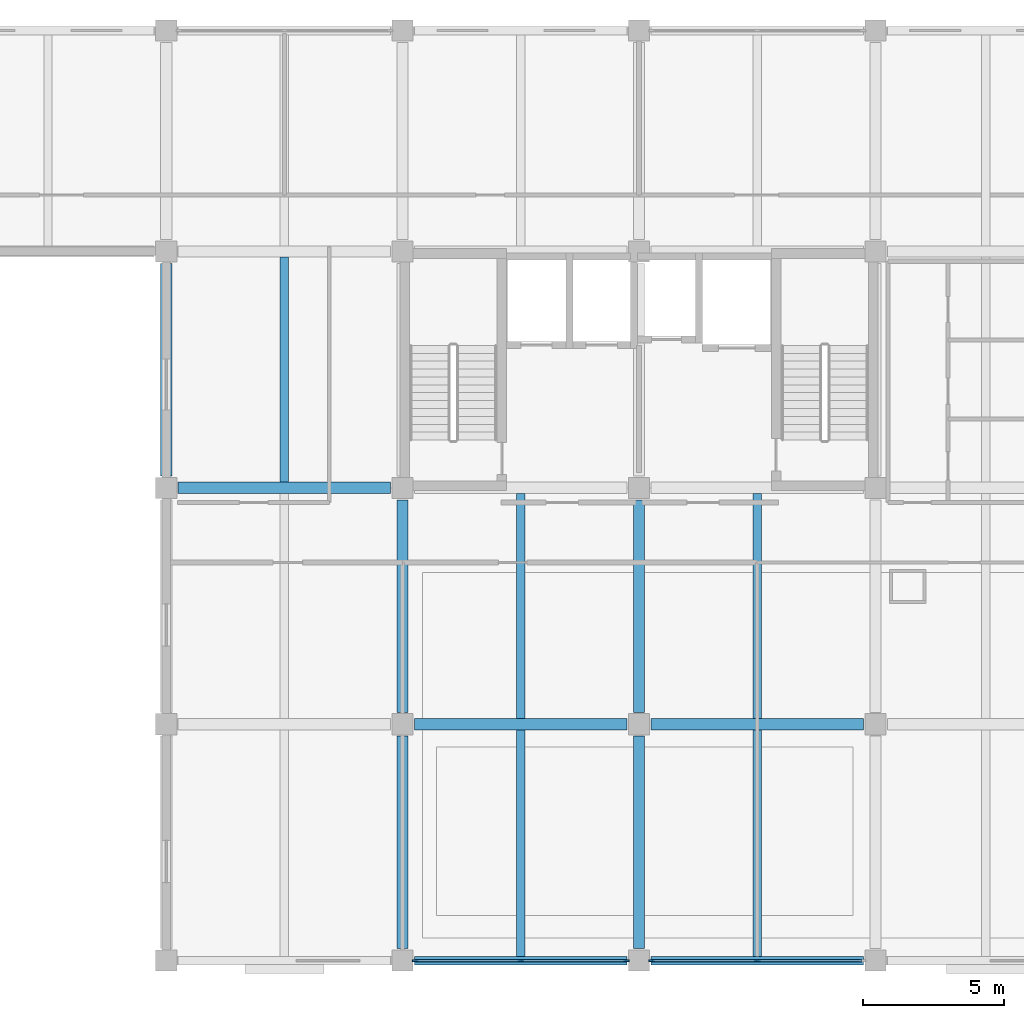
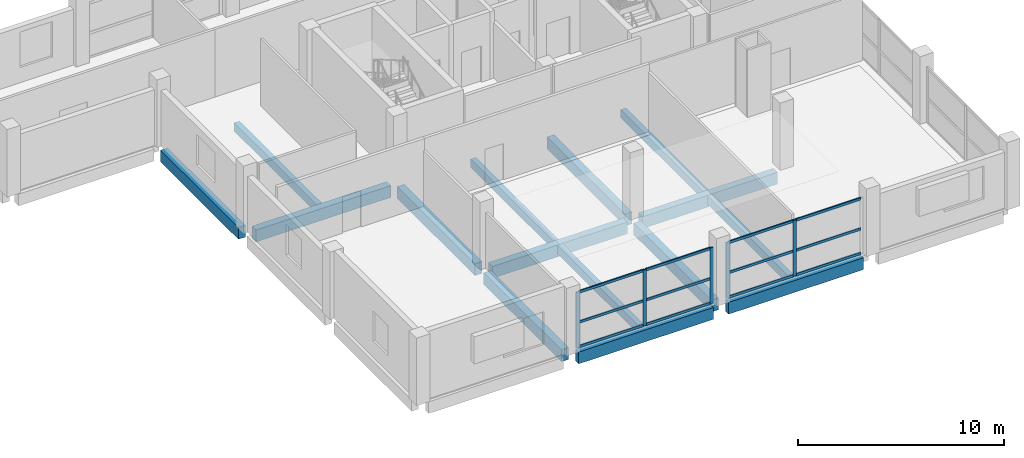
# One storey, part 2 of 9: 17 members, 15 beams, 2 elements without a shape of their own.
"""IFC4 building model written with IfcOpenShell, lengths in metres."""

from ifc_helpers import new_model, si_unit, direction, frame, origin, origin_2d, place, context, subcontext, project, spatial, rectangle, extrude, material, material_profile, profile_set, type_object, element, aggregate, save


model = new_model("IFC4")

# Units and contexts
model_context = context("Model", 3, precision=1e-05, world=origin(), true_north=direction((0.0, 1.0)))
body_context = subcontext(model_context, "Body", "Model", "MODEL_VIEW")
ifc_project = project(units=[si_unit("LENGTHUNIT", "METRE"), si_unit("AREAUNIT", "SQUARE_METRE"), si_unit("VOLUMEUNIT", "CUBIC_METRE"), si_unit("PLANEANGLEUNIT", "RADIAN"), si_unit("MASSUNIT", "GRAM", prefix="KILO")], contexts=[model_context])

# Site, building, storey
site_placement = place(None, origin())
site = spatial("IfcSite", under=ifc_project, at=site_placement, CompositionType="ELEMENT")
building_placement = place(site_placement, origin())
building = spatial("IfcBuilding", under=site, at=building_placement, Name="Brinegate Botanical Conservatory", CompositionType="ELEMENT")
storey_placement = place(building_placement, frame((0.0, 0.0, 40.199951171875)))
storey = spatial("IfcBuildingStorey", under=building, at=storey_placement, Name="L10", CompositionType="ELEMENT", Elevation=40.199951171875)

# Beams
ifc_material_1 = material(Name="Concrete C40/50", Category="concrete")
ifc_material_profile_1 = material_profile(ifc_material_1, rectangle(XDim=0.39990234375, YDim=0.699951171875, at=origin_2d()), Name="RC BM 400x700")
ifc_profile_set_1 = profile_set([ifc_material_profile_1], Name="Concrete C40/50")
beam_type_1 = type_object("IfcBeamType", Name="Beam_BM-T2", PredefinedType="BEAM", material=ifc_profile_set_1)
beam_1_placement = place(storey_placement, frame((139.22509765625, 86.800048828125, -0.530029296875), z_axis=(1.0, 0.0, 0.0), x_axis=(0.0, 1.0, 0.0)))
element("IfcBeam", 1, at=beam_1_placement, inside=storey, type_object=beam_type_1, Name="Beam BM-T2 L10 L:18-19", PredefinedType="BEAM", context=body_context, shape_type="SweptSolid", body=[
    extrude(rectangle(XDim=0.39990234375, YDim=0.699951171875, at=origin_2d()), origin(), (0.0, 0.0, 1.0), 7.5498046875),
])
for number, where, z_axis, x_axis, name in (
    (2, (147.625, 86.800048828125, -0.530029296875), (1.0, 0.0, 0.0), (0.0, 1.0, 0.0), "Beam BM-T2 L10 L:19-20"),
    (3, (130.824951171875, 95.199951171875, -0.530029296875), (1.0, 0.0, 0.0), (0.0, 1.0, 0.0), "Beam BM-T2 L10 M:17-18"),
    (4, (130.39990234375, 95.625, -0.530029296875), (0.0, 1.0, 0.0), (-1.0, 0.0, 0.0), "Beam BM-T2 L10 17:M-N"),
    (5, (138.800048828125, 78.824951171875, -0.530029296875), (0.0, 1.0, 0.0), (-1.0, 0.0, 0.0), "Beam BM-T2 L10 18:K-L"),
):
    element("IfcBeam", number, at=place(storey_placement, frame(where, z_axis=z_axis, x_axis=x_axis)), inside=storey, type_object=beam_type_1, Name=name, PredefinedType="BEAM", context=body_context, shape_type="SweptSolid", body=[
        extrude(rectangle(XDim=0.39990234375, YDim=0.699951171875, at=origin_2d()), origin(), (0.0, 0.0, 1.0), 7.550048828125),
    ])
beam_2_placement = place(storey_placement, frame((138.800048828125, 87.22509765625, -0.530029296875), z_axis=(0.0, 1.0, 0.0), x_axis=(-1.0, 0.0, 0.0)))
element("IfcBeam", 6, at=beam_2_placement, inside=storey, type_object=beam_type_1, Name="Beam BM-T2 L10 18:L-M", PredefinedType="BEAM", context=body_context, shape_type="SweptSolid", body=[
    extrude(rectangle(XDim=0.39990234375, YDim=0.699951171875, at=origin_2d()), origin(), (0.0, 0.0, 1.0), 7.5498046875),
])
beam_3_placement = place(storey_placement, frame((147.199951171875, 78.824951171875, -0.530029296875), z_axis=(0.0, 1.0, 0.0), x_axis=(-1.0, 0.0, 0.0)))
element("IfcBeam", 7, at=beam_3_placement, inside=storey, type_object=beam_type_1, Name="Beam BM-T2 L10 19:K-L", PredefinedType="BEAM", context=body_context, shape_type="SweptSolid", body=[
    extrude(rectangle(XDim=0.39990234375, YDim=0.699951171875, at=origin_2d()), origin(), (0.0, 0.0, 1.0), 7.550048828125),
])
beam_4_placement = place(storey_placement, frame((147.199951171875, 87.22509765625, -0.530029296875), z_axis=(0.0, 1.0, 0.0), x_axis=(-1.0, 0.0, 0.0)))
element("IfcBeam", 8, at=beam_4_placement, inside=storey, type_object=beam_type_1, Name="Beam BM-T2 L10 19:L-M", PredefinedType="BEAM", context=body_context, shape_type="SweptSolid", body=[
    extrude(rectangle(XDim=0.39990234375, YDim=0.699951171875, at=origin_2d()), origin(), (0.0, 0.0, 1.0), 7.5498046875),
])
ifc_material_profile_2 = material_profile(ifc_material_1, rectangle(XDim=0.300048828125, YDim=0.5, at=origin_2d()), Name="RC JST 300x500")
ifc_profile_set_2 = profile_set([ifc_material_profile_2], Name="Concrete C40/50")
beam_type_2 = type_object("IfcBeamType", Name="Beam_JS-C2", PredefinedType="JOIST", material=ifc_profile_set_2)
beam_5_placement = place(storey_placement, frame((134.60009765625, 95.39990234375, -0.429931640625), z_axis=(0.0, 1.0, 0.0), x_axis=(-1.0, 0.0, 0.0)))
element("IfcBeam", 9, at=beam_5_placement, inside=storey, type_object=beam_type_2, Name="Floor joist JS-C2 L10 bay 17.12", PredefinedType="JOIST", context=body_context, shape_type="SweptSolid", body=[
    extrude(rectangle(XDim=0.300048828125, YDim=0.5, at=origin_2d()), origin(), (0.0, 0.0, 1.0), 8.0),
])
beam_6_placement = place(storey_placement, frame((143.0, 78.550048828125, -0.429931640625), z_axis=(0.0, 1.0, 0.0), x_axis=(-1.0, 0.0, 0.0)))
element("IfcBeam", 10, at=beam_6_placement, inside=storey, type_object=beam_type_2, Name="Floor joist JS-C2 L10 bay 18.10", PredefinedType="JOIST", context=body_context, shape_type="SweptSolid", body=[
    extrude(rectangle(XDim=0.300048828125, YDim=0.5, at=origin_2d()), origin(), (0.0, 0.0, 1.0), 8.050048828125),
])
beam_7_placement = place(storey_placement, frame((143.0, 87.0, -0.429931640625), z_axis=(0.0, 1.0, 0.0), x_axis=(-1.0, 0.0, 0.0)))
element("IfcBeam", 11, at=beam_7_placement, inside=storey, type_object=beam_type_2, Name="Floor joist JS-C2 L10 bay 18.11", PredefinedType="JOIST", context=body_context, shape_type="SweptSolid", body=[
    extrude(rectangle(XDim=0.300048828125, YDim=0.5, at=origin_2d()), origin(), (0.0, 0.0, 1.0), 8.0),
])
beam_8_placement = place(storey_placement, frame((151.39990234375, 78.550048828125, -0.429931640625), z_axis=(0.0, 1.0, 0.0), x_axis=(-1.0, 0.0, 0.0)))
element("IfcBeam", 12, at=beam_8_placement, inside=storey, type_object=beam_type_2, Name="Floor joist JS-C2 L10 bay 19.10", PredefinedType="JOIST", context=body_context, shape_type="SweptSolid", body=[
    extrude(rectangle(XDim=0.300048828125, YDim=0.5, at=origin_2d()), origin(), (0.0, 0.0, 1.0), 8.050048828125),
])
beam_9_placement = place(storey_placement, frame((151.39990234375, 87.0, -0.429931640625), z_axis=(0.0, 1.0, 0.0), x_axis=(-1.0, 0.0, 0.0)))
element("IfcBeam", 13, at=beam_9_placement, inside=storey, type_object=beam_type_2, Name="Floor joist JS-C2 L10 bay 19.11", PredefinedType="JOIST", context=body_context, shape_type="SweptSolid", body=[
    extrude(rectangle(XDim=0.300048828125, YDim=0.5, at=origin_2d()), origin(), (0.0, 0.0, 1.0), 8.0),
])
ifc_material_profile_3 = material_profile(ifc_material_1, rectangle(XDim=0.300048828125, YDim=0.699951171875, at=origin_2d()), Name="RC SPN 300x700")
ifc_profile_set_3 = profile_set([ifc_material_profile_3], Name="Concrete C40/50")
beam_type_3 = type_object("IfcBeamType", Name="Beam_SP-02", PredefinedType="SPANDREL", material=ifc_profile_set_3)
beam_10_placement = place(storey_placement, frame((139.22509765625, 78.39990234375, -0.530029296875), z_axis=(1.0, 0.0, 0.0), x_axis=(0.0, 1.0, 0.0)))
element("IfcBeam", 14, at=beam_10_placement, inside=storey, type_object=beam_type_3, Name="Beam SP-02 L10 K:18-19", PredefinedType="SPANDREL", context=body_context, shape_type="SweptSolid", body=[
    extrude(rectangle(XDim=0.300048828125, YDim=0.699951171875, at=origin_2d()), origin(), (0.0, 0.0, 1.0), 7.5498046875),
])
beam_11_placement = place(storey_placement, frame((147.625, 78.39990234375, -0.530029296875), z_axis=(1.0, 0.0, 0.0), x_axis=(0.0, 1.0, 0.0)))
element("IfcBeam", 15, at=beam_11_placement, inside=storey, type_object=beam_type_3, Name="Beam SP-02 L10 K:19-20", PredefinedType="SPANDREL", context=body_context, shape_type="SweptSolid", body=[
    extrude(rectangle(XDim=0.300048828125, YDim=0.699951171875, at=origin_2d()), origin(), (0.0, 0.0, 1.0), 7.550048828125),
])

# Curtain wall, members
ifc_material_2 = material(Name="Thermally broken anodised aluminium AW-6063-T6", Category="aluminium")
curtain_wall_type = type_object("IfcCurtainWallType", Name="CW_CW-TW1", PredefinedType="USERDEFINED", material=ifc_material_2)
curtain_wall_1_placement = place(storey_placement, origin())
curtain_wall_1 = element("IfcCurtainWall", 16, at=curtain_wall_1_placement, inside=storey, type_object=curtain_wall_type, Name="Tower south curtain wall L10.2", ObjectType="FACTORY CURTAIN WALL", PredefinedType="USERDEFINED")
ifc_material_profile_4 = material_profile(ifc_material_2, rectangle(XDim=0.070068359375, YDim=0.199951171875, at=origin_2d()), Name="ALUM MULLION 70x200")
ifc_profile_set_4 = profile_set([ifc_material_profile_4], Name="Thermally broken anodised aluminium AW-6063-T6")
member_type_1 = type_object("IfcMemberType", Name="Member_ML-03", PredefinedType="MULLION", material=ifc_profile_set_4)
member_1_placement = place(storey_placement, frame((146.75, 78.39990234375, 0.0), z_axis=(0.0, 0.0, 1.0), x_axis=(0.0, -1.0, 0.0)))
member_1 = element("IfcMember", 17, at=member_1_placement, type_object=member_type_1, Name="CW-TW1 mullion 1", PredefinedType="MULLION", context=body_context, shape_type="SweptSolid", body=[
    extrude(rectangle(XDim=0.070068359375, YDim=0.199951171875, at=origin_2d()), origin(), (0.0, 0.0, 1.0), 3.300048828125),
])
member_2_placement = place(storey_placement, frame((143.0, 78.39990234375, 0.0), z_axis=(0.0, 0.0, 1.0), x_axis=(0.0, -1.0, 0.0)))
member_2 = element("IfcMember", 18, at=member_2_placement, type_object=member_type_1, Name="CW-TW1 mullion 2", PredefinedType="MULLION", context=body_context, shape_type="SweptSolid", body=[
    extrude(rectangle(XDim=0.070068359375, YDim=0.199951171875, at=origin_2d()), origin(), (0.0, 0.0, 1.0), 3.300048828125),
])
member_3_placement = place(storey_placement, frame((139.25, 78.39990234375, 0.0), z_axis=(0.0, 0.0, 1.0), x_axis=(0.0, -1.0, 0.0)))
member_3 = element("IfcMember", 19, at=member_3_placement, type_object=member_type_1, Name="CW-TW1 mullion 3", PredefinedType="MULLION", context=body_context, shape_type="SweptSolid", body=[
    extrude(rectangle(XDim=0.070068359375, YDim=0.199951171875, at=origin_2d()), origin(), (0.0, 0.0, 1.0), 3.300048828125),
])

curtain_wall_2_placement = place(storey_placement, origin())
curtain_wall_2 = element("IfcCurtainWall", 20, at=curtain_wall_2_placement, inside=storey, type_object=curtain_wall_type, Name="Tower south curtain wall L10.3", ObjectType="FACTORY CURTAIN WALL", PredefinedType="USERDEFINED")
member_4_placement = place(storey_placement, frame((151.39990234375, 78.39990234375, 0.0), z_axis=(0.0, 0.0, 1.0), x_axis=(0.0, -1.0, 0.0)))
member_4 = element("IfcMember", 21, at=member_4_placement, type_object=member_type_1, Name="CW-TW1 mullion 2", PredefinedType="MULLION", context=body_context, shape_type="SweptSolid", body=[
    extrude(rectangle(XDim=0.070068359375, YDim=0.199951171875, at=origin_2d()), origin(), (0.0, 0.0, 1.0), 3.300048828125),
])
member_5_placement = place(storey_placement, frame((147.64990234375, 78.39990234375, 0.0), z_axis=(0.0, 0.0, 1.0), x_axis=(0.0, -1.0, 0.0)))
member_5 = element("IfcMember", 22, at=member_5_placement, type_object=member_type_1, Name="CW-TW1 mullion 3", PredefinedType="MULLION", context=body_context, shape_type="SweptSolid", body=[
    extrude(rectangle(XDim=0.070068359375, YDim=0.199951171875, at=origin_2d()), origin(), (0.0, 0.0, 1.0), 3.300048828125),
])

# Member
ifc_material_profile_5 = material_profile(ifc_material_2, rectangle(XDim=0.070068359375, YDim=0.14990234375, at=origin_2d()), Name="ALUM TRANSOM 70x150")
ifc_profile_set_5 = profile_set([ifc_material_profile_5], Name="Thermally broken anodised aluminium AW-6063-T6")
member_type_2 = type_object("IfcMemberType", Name="Member_TR-03", PredefinedType="USERDEFINED", material=ifc_profile_set_5)
member_6_placement = place(storey_placement, frame((146.715087890625, 78.39990234375, 0.03515625), z_axis=(-1.0, 0.0, 0.0), x_axis=(0.0, -1.0, 0.0)))
member_6 = element("IfcMember", 23, at=member_6_placement, type_object=member_type_2, Name="CW-TW1 transom 1.1", ObjectType="TRANSOM", PredefinedType="USERDEFINED", context=body_context, shape_type="SweptSolid", body=[
    extrude(rectangle(XDim=0.070068359375, YDim=0.14990234375, at=origin_2d()), origin(), (0.0, 0.0, 1.0), 3.68017578125),
])

member_7_placement = place(storey_placement, frame((146.715087890625, 78.39990234375, 1.485107421875), z_axis=(-1.0, 0.0, 0.0), x_axis=(0.0, -1.0, 0.0)))
member_7 = element("IfcMember", 24, at=member_7_placement, type_object=member_type_2, Name="CW-TW1 transom 1.2", ObjectType="TRANSOM", PredefinedType="USERDEFINED", context=body_context, shape_type="SweptSolid", body=[
    extrude(rectangle(XDim=0.070068359375, YDim=0.14990234375, at=origin_2d()), origin(), (0.0, 0.0, 1.0), 3.68017578125),
])

member_8_placement = place(storey_placement, frame((146.715087890625, 78.39990234375, 3.26513671875), z_axis=(-1.0, 0.0, 0.0), x_axis=(0.0, -1.0, 0.0)))
member_8 = element("IfcMember", 25, at=member_8_placement, type_object=member_type_2, Name="CW-TW1 transom 1.3", ObjectType="TRANSOM", PredefinedType="USERDEFINED", context=body_context, shape_type="SweptSolid", body=[
    extrude(rectangle(XDim=0.070068359375, YDim=0.14990234375, at=origin_2d()), origin(), (0.0, 0.0, 1.0), 3.68017578125),
])

member_9_placement = place(storey_placement, frame((142.965087890625, 78.39990234375, 0.03515625), z_axis=(-1.0, 0.0, 0.0), x_axis=(0.0, -1.0, 0.0)))
member_9 = element("IfcMember", 26, at=member_9_placement, type_object=member_type_2, Name="CW-TW1 transom 2.1", ObjectType="TRANSOM", PredefinedType="USERDEFINED", context=body_context, shape_type="SweptSolid", body=[
    extrude(rectangle(XDim=0.070068359375, YDim=0.14990234375, at=origin_2d()), origin(), (0.0, 0.0, 1.0), 3.68017578125),
])

member_10_placement = place(storey_placement, frame((142.965087890625, 78.39990234375, 1.485107421875), z_axis=(-1.0, 0.0, 0.0), x_axis=(0.0, -1.0, 0.0)))
member_10 = element("IfcMember", 27, at=member_10_placement, type_object=member_type_2, Name="CW-TW1 transom 2.2", ObjectType="TRANSOM", PredefinedType="USERDEFINED", context=body_context, shape_type="SweptSolid", body=[
    extrude(rectangle(XDim=0.070068359375, YDim=0.14990234375, at=origin_2d()), origin(), (0.0, 0.0, 1.0), 3.68017578125),
])

member_11_placement = place(storey_placement, frame((142.965087890625, 78.39990234375, 3.26513671875), z_axis=(-1.0, 0.0, 0.0), x_axis=(0.0, -1.0, 0.0)))
member_11 = element("IfcMember", 28, at=member_11_placement, type_object=member_type_2, Name="CW-TW1 transom 2.3", ObjectType="TRANSOM", PredefinedType="USERDEFINED", context=body_context, shape_type="SweptSolid", body=[
    extrude(rectangle(XDim=0.070068359375, YDim=0.14990234375, at=origin_2d()), origin(), (0.0, 0.0, 1.0), 3.68017578125),
])

aggregate(curtain_wall_1, [member_1, member_2, member_3, member_6, member_7, member_8, member_9, member_10, member_11])

member_12_placement = place(storey_placement, frame((155.114990234375, 78.39990234375, 0.03515625), z_axis=(-1.0, 0.0, 0.0), x_axis=(0.0, -1.0, 0.0)))
member_12 = element("IfcMember", 29, at=member_12_placement, type_object=member_type_2, Name="CW-TW1 transom 1.1", ObjectType="TRANSOM", PredefinedType="USERDEFINED", context=body_context, shape_type="SweptSolid", body=[
    extrude(rectangle(XDim=0.070068359375, YDim=0.14990234375, at=origin_2d()), origin(), (0.0, 0.0, 1.0), 3.679931640625),
])

member_13_placement = place(storey_placement, frame((155.114990234375, 78.39990234375, 1.485107421875), z_axis=(-1.0, 0.0, 0.0), x_axis=(0.0, -1.0, 0.0)))
member_13 = element("IfcMember", 30, at=member_13_placement, type_object=member_type_2, Name="CW-TW1 transom 1.2", ObjectType="TRANSOM", PredefinedType="USERDEFINED", context=body_context, shape_type="SweptSolid", body=[
    extrude(rectangle(XDim=0.070068359375, YDim=0.14990234375, at=origin_2d()), origin(), (0.0, 0.0, 1.0), 3.679931640625),
])

member_14_placement = place(storey_placement, frame((155.114990234375, 78.39990234375, 3.26513671875), z_axis=(-1.0, 0.0, 0.0), x_axis=(0.0, -1.0, 0.0)))
member_14 = element("IfcMember", 31, at=member_14_placement, type_object=member_type_2, Name="CW-TW1 transom 1.3", ObjectType="TRANSOM", PredefinedType="USERDEFINED", context=body_context, shape_type="SweptSolid", body=[
    extrude(rectangle(XDim=0.070068359375, YDim=0.14990234375, at=origin_2d()), origin(), (0.0, 0.0, 1.0), 3.679931640625),
])

member_15_placement = place(storey_placement, frame((151.364990234375, 78.39990234375, 0.03515625), z_axis=(-1.0, 0.0, 0.0), x_axis=(0.0, -1.0, 0.0)))
member_15 = element("IfcMember", 32, at=member_15_placement, type_object=member_type_2, Name="CW-TW1 transom 2.1", ObjectType="TRANSOM", PredefinedType="USERDEFINED", context=body_context, shape_type="SweptSolid", body=[
    extrude(rectangle(XDim=0.070068359375, YDim=0.14990234375, at=origin_2d()), origin(), (0.0, 0.0, 1.0), 3.679931640625),
])

member_16_placement = place(storey_placement, frame((151.364990234375, 78.39990234375, 1.485107421875), z_axis=(-1.0, 0.0, 0.0), x_axis=(0.0, -1.0, 0.0)))
member_16 = element("IfcMember", 33, at=member_16_placement, type_object=member_type_2, Name="CW-TW1 transom 2.2", ObjectType="TRANSOM", PredefinedType="USERDEFINED", context=body_context, shape_type="SweptSolid", body=[
    extrude(rectangle(XDim=0.070068359375, YDim=0.14990234375, at=origin_2d()), origin(), (0.0, 0.0, 1.0), 3.679931640625),
])

member_17_placement = place(storey_placement, frame((151.364990234375, 78.39990234375, 3.26513671875), z_axis=(-1.0, 0.0, 0.0), x_axis=(0.0, -1.0, 0.0)))
member_17 = element("IfcMember", 34, at=member_17_placement, type_object=member_type_2, Name="CW-TW1 transom 2.3", ObjectType="TRANSOM", PredefinedType="USERDEFINED", context=body_context, shape_type="SweptSolid", body=[
    extrude(rectangle(XDim=0.070068359375, YDim=0.14990234375, at=origin_2d()), origin(), (0.0, 0.0, 1.0), 3.679931640625),
])

aggregate(curtain_wall_2, [member_4, member_5, member_12, member_13, member_14, member_15, member_16, member_17])

save(model, "model.ifc")
